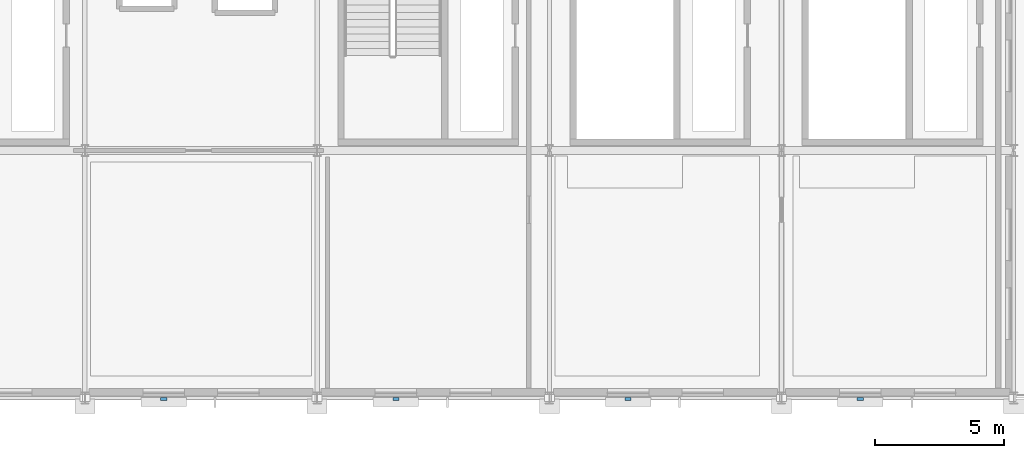
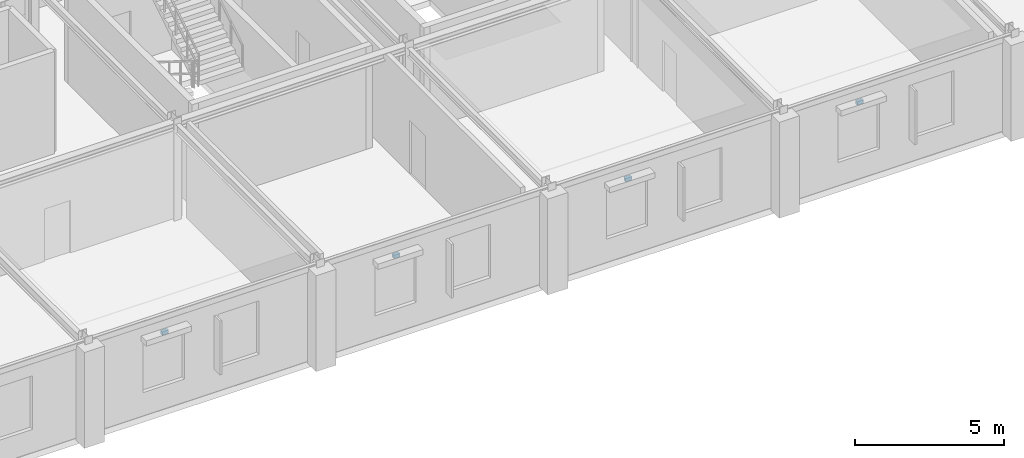
# One storey, part 60 of 81: 4 discrete accessories.
"""IFC4 building model written with IfcOpenShell, lengths in metres."""

import ifcopenshell
import ifcopenshell.guid

model = None  # the IFC model being written
_history = None  # IfcOwnerHistory: only IFC2X3 demands one
_inside = {}  # id of a spatial element -> (the spatial element, [elements in it])
_under = {}  # id of a project, library or spatial element -> (it, [spatial elements below it])
_declared = {}  # id of a project -> (the project, [libraries it declares])
_typed = {}  # id of a type object -> (the type object, [elements of that type])
_made_of = {}  # id of a material, layer set ... -> (it, [elements and type objects made of it])


def new_model(schema):
    """Start an empty IFC model of exactly this schema.

    Asked for "IFC4X3", IfcOpenShell would pick the latest addendum, in which some entities
    have other attributes; the version numbers below select the first issue.
    IFC2X3 requires an IfcOwnerHistory on every rooted entity: one is made here for all.
    """
    global model, _history
    if schema == "IFC4X3":
        model = ifcopenshell.file(schema_version=(4, 3, 0, 0))
    else:
        model = ifcopenshell.file(schema=schema)
    _inside.clear()
    _under.clear()
    _declared.clear()
    _typed.clear()
    _made_of.clear()
    _history = None
    if model.schema == "IFC2X3":
        org = make("IfcOrganization", Name="unknown")
        user = make(
            "IfcPersonAndOrganization",
            ThePerson=make("IfcPerson", FamilyName="unknown"),
            TheOrganization=org,
        )
        app = make(
            "IfcApplication",
            ApplicationDeveloper=org,
            Version="unknown",
            ApplicationFullName="unknown",
            ApplicationIdentifier="unknown",
        )
        _history = make(
            "IfcOwnerHistory",
            OwningUser=user,
            OwningApplication=app,
            ChangeAction="ADDED",
            CreationDate=0,
        )
    return model


def make(cls, **values):
    """One entity of the class cls with the attributes given. An attribute that is None is left unset."""
    return model.create_entity(
        cls, **{name: value for name, value in values.items() if value is not None}
    )


def rooted(cls, **values):
    """An entity with a GlobalId (a new one), such as an element, a storey or a relation."""
    return make(cls, GlobalId=ifcopenshell.guid.new(), OwnerHistory=_history, **values)


def si_unit(unit_type, name, prefix=None):
    """IfcSIUnit, for example si_unit("LENGTHUNIT", "METRE", prefix="MILLI")."""
    return make("IfcSIUnit", UnitType=unit_type, Prefix=prefix, Name=name)


def assignment(units):
    """IfcUnitAssignment: the units of a project."""
    return None if units is None else make("IfcUnitAssignment", Units=units)


def point(xyz):
    """IfcCartesianPoint."""
    return None if xyz is None else make("IfcCartesianPoint", Coordinates=xyz)


def direction(xyz):
    """IfcDirection."""
    return None if xyz is None else make("IfcDirection", DirectionRatios=xyz)


def frame(location, z_axis=None, x_axis=None):
    """IfcAxis2Placement3D, a coordinate frame: its origin and axes. An axis left out is left unset."""
    return make(
        "IfcAxis2Placement3D",
        Location=point(location),
        Axis=direction(z_axis),
        RefDirection=direction(x_axis),
    )


def frame_2d(location, x_axis=None):
    """IfcAxis2Placement2D, a coordinate frame in the plane: its origin and x axis."""
    return make(
        "IfcAxis2Placement2D", Location=point(location), RefDirection=direction(x_axis)
    )


def origin():
    """The frame at (0, 0, 0) with its axes left unset."""
    return frame((0.0, 0.0, 0.0))


def origin_2d():
    """The frame at (0, 0) in the plane with its x axis left unset."""
    return frame_2d((0.0, 0.0))


def place(relative_to, where):
    """IfcLocalPlacement: puts the frame where relative to a parent placement (None: the world)."""
    return make(
        "IfcLocalPlacement", PlacementRelTo=relative_to, RelativePlacement=where
    )


def context(
    kind, dimensions, precision=None, world=None, true_north=None, identifier=None
):
    """IfcGeometricRepresentationContext, for example the 3D "Model" context."""
    return make(
        "IfcGeometricRepresentationContext",
        ContextIdentifier=identifier,
        ContextType=kind,
        CoordinateSpaceDimension=dimensions,
        Precision=precision,
        WorldCoordinateSystem=world,
        TrueNorth=true_north,
    )


def subcontext(parent, identifier, kind, view, scale=None):
    """IfcGeometricRepresentationSubContext, for example "Body" below "Model"."""
    return make(
        "IfcGeometricRepresentationSubContext",
        ContextIdentifier=identifier,
        ContextType=kind,
        ParentContext=parent,
        TargetScale=scale,
        TargetView=view,
    )


def project(units=None, contexts=None):
    """IfcProject with its units and contexts."""
    return rooted(
        "IfcProject",
        Name="project",
        RepresentationContexts=contexts,
        UnitsInContext=assignment(units),
    )


def spatial(cls, under=None, at=None, **own):
    """A site, building, storey or space (cls), placed at a placement, below another one or the project."""
    s = rooted(cls, ObjectPlacement=at, **own)
    if under is not None:
        _under.setdefault(under.id(), (under, []))[1].append(s)
    return s


def profile(cls, at=None, kind="AREA", **sizes):
    """A parametric profile (cls). Its sizes go by their IFC names, for example OverallWidth=200.0."""
    return make(cls, ProfileType=kind, Position=at, **sizes)


def rectangle(**sizes):
    """IfcRectangleProfileDef."""
    return profile("IfcRectangleProfileDef", **sizes)


def extrude(swept, where, along, depth):
    """IfcExtrudedAreaSolid: the profile swept, set in the frame where, extruded along a direction by depth."""
    return make(
        "IfcExtrudedAreaSolid",
        SweptArea=swept,
        Position=where,
        ExtrudedDirection=direction(along),
        Depth=depth,
    )


def shape(context_of_items, identifier, shape_type, items):
    """IfcShapeRepresentation: the items that make up one representation, for example the "Body"."""
    return make(
        "IfcShapeRepresentation",
        ContextOfItems=context_of_items,
        RepresentationIdentifier=identifier,
        RepresentationType=shape_type,
        Items=items,
    )


def material(Name=None, Category=None):
    """IfcMaterial."""
    return make("IfcMaterial", Name=Name, Category=Category)


def made_of(thing, what):
    """Note that an element or type object is made of a material, layer set ...; save() writes the relation."""
    if what is not None:
        _made_of.setdefault(what.id(), (what, []))[1].append(thing)
    return thing


def type_object(cls, material=None, **own):
    """A type object (cls), such as IfcWallType, which elements share."""
    return made_of(rooted(cls, **own), material)


def element(
    cls,
    number,
    at=None,
    inside=None,
    cuts=None,
    type_object=None,
    material=None,
    context=None,
    identifier="Body",
    shape_type=None,
    held_by="IfcProductDefinitionShape",
    body=None,
    shapes=None,
    **own,
):
    """One element of the class cls, such as IfcWall. Its Tag is "e" and its number.

    at: its placement. inside: the storey or other place that contains it. cuts: it is an
    opening in that element (IfcRelVoidsElement). A single representation is given by context,
    identifier, shape_type and body (its items); several are given by shapes. held_by: the class
    of the entity that holds the representations. save() writes the other relations.
    """
    e = rooted(cls, Tag="e%d" % number, ObjectPlacement=at, **own)
    if body is not None:
        shapes = [shape(context, identifier, shape_type, body)]
    if shapes is not None:
        e.Representation = make(held_by, Representations=shapes)
    if inside is not None:
        _inside.setdefault(inside.id(), (inside, []))[1].append(e)
    if cuts is not None:
        rooted(
            "IfcRelVoidsElement", RelatingBuildingElement=cuts, RelatedOpeningElement=e
        )
    if type_object is not None:
        _typed.setdefault(type_object.id(), (type_object, []))[1].append(e)
    return made_of(e, material)


def aggregate(whole, parts):
    """IfcRelAggregates: a whole, such as a stair, and the parts it consists of."""
    return rooted("IfcRelAggregates", RelatingObject=whole, RelatedObjects=parts)


def save(model, path):
    """Write the relations noted so far, then the file.

    IfcRelAggregates (storeys below a building ...), IfcRelContainedInSpatialStructure (elements
    in a storey), IfcRelDefinesByType, IfcRelAssociatesMaterial and IfcRelDeclares: one each for
    every whole, place, type object, material and project.
    """
    for whole, parts in _under.values():
        aggregate(whole, parts)
    for where, things in _inside.values():
        rooted(
            "IfcRelContainedInSpatialStructure",
            RelatedElements=things,
            RelatingStructure=where,
        )
    for kind, things in _typed.values():
        rooted("IfcRelDefinesByType", RelatedObjects=things, RelatingType=kind)
    for what, things in _made_of.values():
        rooted("IfcRelAssociatesMaterial", RelatedObjects=things, RelatingMaterial=what)
    for by, libraries in _declared.values():
        rooted("IfcRelDeclares", RelatingContext=by, RelatedDefinitions=libraries)
    model.write(path)


model = new_model("IFC4")

# Units and contexts
model_context = context("Model", 3, precision=1e-05, world=origin(), true_north=direction((0.0, 1.0)))
body_context = subcontext(model_context, "Body", "Model", "MODEL_VIEW")
ifc_project = project(units=[si_unit("LENGTHUNIT", "METRE"), si_unit("AREAUNIT", "SQUARE_METRE"), si_unit("VOLUMEUNIT", "CUBIC_METRE"), si_unit("PLANEANGLEUNIT", "RADIAN"), si_unit("MASSUNIT", "GRAM", prefix="KILO")], contexts=[model_context])

# Site, building, storey
site_placement = place(None, origin())
site = spatial("IfcSite", under=ifc_project, at=site_placement, CompositionType="ELEMENT")
building_placement = place(site_placement, origin())
building = spatial("IfcBuilding", under=site, at=building_placement, Name="Myrtia Square Station", CompositionType="ELEMENT")
storey_placement = place(building_placement, frame((0.0, 0.0, 10.800048828125)))
storey = spatial("IfcBuildingStorey", under=building, at=storey_placement, Name="L02", CompositionType="ELEMENT", Elevation=10.800048828125)

# Discrete accessories
ifc_material = material(Name="Steel S355", Category="steel")
discrete_accessory_type = type_object("IfcDiscreteAccessoryType", Name="ACC-BRACKET-BRONZE", PredefinedType="BRACKET", material=ifc_material)
for number, where, z_axis, x_axis, name in (
    (1, (129.052001953125, -0.030029296875, 3.1298828125), (0.0, 0.0, 1.0), (1.0, 0.0, 0.0), "Solar shading fixing bracket 020"),
    (2, (138.052001953125, -0.030029296875, 3.1298828125), (0.0, 0.0, 1.0), (1.0, 0.0, 0.0), "Solar shading fixing bracket 021"),
    (3, (147.052001953125, -0.030029296875, 3.1298828125), (0.0, 0.0, 1.0), (1.0, 0.0, 0.0), "Solar shading fixing bracket 022"),
    (4, (156.052001953125, -0.030029296875, 3.1298828125), (0.0, 0.0, 1.0), (1.0, 0.0, 0.0), "Solar shading fixing bracket 023"),
):
    element("IfcDiscreteAccessory", number, at=place(storey_placement, frame(where, z_axis=z_axis, x_axis=x_axis)), inside=storey, type_object=discrete_accessory_type, Name=name, PredefinedType="BRACKET", context=body_context, shape_type="SweptSolid", body=[
        extrude(rectangle(XDim=0.239990234375, YDim=0.1201171875, at=origin_2d()), origin(), (0.0, 0.0, 1.0), 0.139892578125),
    ])

save(model, "model.ifc")
